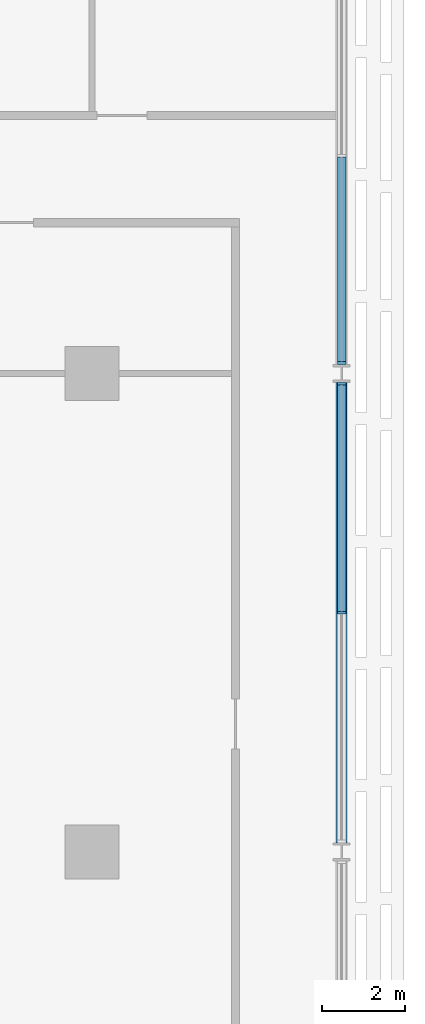
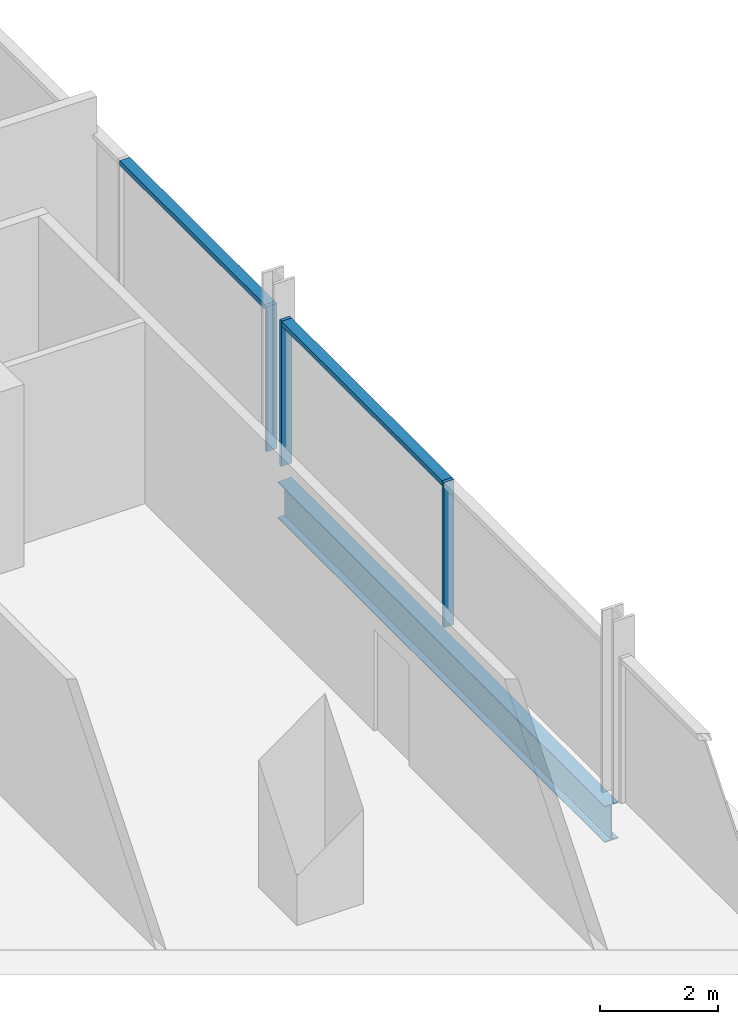
# One storey, part 9 of 29: 5 members, 1 beam, 2 elements without a shape of their own.
"""IFC4 building model written with IfcOpenShell, lengths in metres."""

import ifcopenshell
import ifcopenshell.guid

model = None  # the IFC model being written
_history = None  # IfcOwnerHistory: only IFC2X3 demands one
_inside = {}  # id of a spatial element -> (the spatial element, [elements in it])
_under = {}  # id of a project, library or spatial element -> (it, [spatial elements below it])
_declared = {}  # id of a project -> (the project, [libraries it declares])
_typed = {}  # id of a type object -> (the type object, [elements of that type])
_made_of = {}  # id of a material, layer set ... -> (it, [elements and type objects made of it])


def new_model(schema):
    """Start an empty IFC model of exactly this schema.

    Asked for "IFC4X3", IfcOpenShell would pick the latest addendum, in which some entities
    have other attributes; the version numbers below select the first issue.
    IFC2X3 requires an IfcOwnerHistory on every rooted entity: one is made here for all.
    """
    global model, _history
    if schema == "IFC4X3":
        model = ifcopenshell.file(schema_version=(4, 3, 0, 0))
    else:
        model = ifcopenshell.file(schema=schema)
    _inside.clear()
    _under.clear()
    _declared.clear()
    _typed.clear()
    _made_of.clear()
    _history = None
    if model.schema == "IFC2X3":
        org = make("IfcOrganization", Name="unknown")
        user = make(
            "IfcPersonAndOrganization",
            ThePerson=make("IfcPerson", FamilyName="unknown"),
            TheOrganization=org,
        )
        app = make(
            "IfcApplication",
            ApplicationDeveloper=org,
            Version="unknown",
            ApplicationFullName="unknown",
            ApplicationIdentifier="unknown",
        )
        _history = make(
            "IfcOwnerHistory",
            OwningUser=user,
            OwningApplication=app,
            ChangeAction="ADDED",
            CreationDate=0,
        )
    return model


def make(cls, **values):
    """One entity of the class cls with the attributes given. An attribute that is None is left unset."""
    return model.create_entity(
        cls, **{name: value for name, value in values.items() if value is not None}
    )


def rooted(cls, **values):
    """An entity with a GlobalId (a new one), such as an element, a storey or a relation."""
    return make(cls, GlobalId=ifcopenshell.guid.new(), OwnerHistory=_history, **values)


def si_unit(unit_type, name, prefix=None):
    """IfcSIUnit, for example si_unit("LENGTHUNIT", "METRE", prefix="MILLI")."""
    return make("IfcSIUnit", UnitType=unit_type, Prefix=prefix, Name=name)


def assignment(units):
    """IfcUnitAssignment: the units of a project."""
    return None if units is None else make("IfcUnitAssignment", Units=units)


def point(xyz):
    """IfcCartesianPoint."""
    return None if xyz is None else make("IfcCartesianPoint", Coordinates=xyz)


def direction(xyz):
    """IfcDirection."""
    return None if xyz is None else make("IfcDirection", DirectionRatios=xyz)


def frame(location, z_axis=None, x_axis=None):
    """IfcAxis2Placement3D, a coordinate frame: its origin and axes. An axis left out is left unset."""
    return make(
        "IfcAxis2Placement3D",
        Location=point(location),
        Axis=direction(z_axis),
        RefDirection=direction(x_axis),
    )


def frame_2d(location, x_axis=None):
    """IfcAxis2Placement2D, a coordinate frame in the plane: its origin and x axis."""
    return make(
        "IfcAxis2Placement2D", Location=point(location), RefDirection=direction(x_axis)
    )


def origin():
    """The frame at (0, 0, 0) with its axes left unset."""
    return frame((0.0, 0.0, 0.0))


def origin_2d():
    """The frame at (0, 0) in the plane with its x axis left unset."""
    return frame_2d((0.0, 0.0))


def place(relative_to, where):
    """IfcLocalPlacement: puts the frame where relative to a parent placement (None: the world)."""
    return make(
        "IfcLocalPlacement", PlacementRelTo=relative_to, RelativePlacement=where
    )


def context(
    kind, dimensions, precision=None, world=None, true_north=None, identifier=None
):
    """IfcGeometricRepresentationContext, for example the 3D "Model" context."""
    return make(
        "IfcGeometricRepresentationContext",
        ContextIdentifier=identifier,
        ContextType=kind,
        CoordinateSpaceDimension=dimensions,
        Precision=precision,
        WorldCoordinateSystem=world,
        TrueNorth=true_north,
    )


def subcontext(parent, identifier, kind, view, scale=None):
    """IfcGeometricRepresentationSubContext, for example "Body" below "Model"."""
    return make(
        "IfcGeometricRepresentationSubContext",
        ContextIdentifier=identifier,
        ContextType=kind,
        ParentContext=parent,
        TargetScale=scale,
        TargetView=view,
    )


def project(units=None, contexts=None):
    """IfcProject with its units and contexts."""
    return rooted(
        "IfcProject",
        Name="project",
        RepresentationContexts=contexts,
        UnitsInContext=assignment(units),
    )


def spatial(cls, under=None, at=None, **own):
    """A site, building, storey or space (cls), placed at a placement, below another one or the project."""
    s = rooted(cls, ObjectPlacement=at, **own)
    if under is not None:
        _under.setdefault(under.id(), (under, []))[1].append(s)
    return s


def profile(cls, at=None, kind="AREA", **sizes):
    """A parametric profile (cls). Its sizes go by their IFC names, for example OverallWidth=200.0."""
    return make(cls, ProfileType=kind, Position=at, **sizes)


def rectangle(**sizes):
    """IfcRectangleProfileDef."""
    return profile("IfcRectangleProfileDef", **sizes)


def i_section(**sizes):
    """IfcIShapeProfileDef."""
    return profile("IfcIShapeProfileDef", **sizes)


def extrude(swept, where, along, depth):
    """IfcExtrudedAreaSolid: the profile swept, set in the frame where, extruded along a direction by depth."""
    return make(
        "IfcExtrudedAreaSolid",
        SweptArea=swept,
        Position=where,
        ExtrudedDirection=direction(along),
        Depth=depth,
    )


def shape(context_of_items, identifier, shape_type, items):
    """IfcShapeRepresentation: the items that make up one representation, for example the "Body"."""
    return make(
        "IfcShapeRepresentation",
        ContextOfItems=context_of_items,
        RepresentationIdentifier=identifier,
        RepresentationType=shape_type,
        Items=items,
    )


def material(Name=None, Category=None):
    """IfcMaterial."""
    return make("IfcMaterial", Name=Name, Category=Category)


def material_profile(
    of_material, cross_section, Name=None, Category=None, Priority=None
):
    """IfcMaterialProfile: a cross section and its material."""
    return make(
        "IfcMaterialProfile",
        Name=Name,
        Material=of_material,
        Profile=cross_section,
        Priority=Priority,
        Category=Category,
    )


def profile_set(profiles, Name=None, composite=None):
    """IfcMaterialProfileSet."""
    return make(
        "IfcMaterialProfileSet",
        Name=Name,
        MaterialProfiles=profiles,
        CompositeProfile=composite,
    )


def made_of(thing, what):
    """Note that an element or type object is made of a material, layer set ...; save() writes the relation."""
    if what is not None:
        _made_of.setdefault(what.id(), (what, []))[1].append(thing)
    return thing


def type_object(cls, material=None, **own):
    """A type object (cls), such as IfcWallType, which elements share."""
    return made_of(rooted(cls, **own), material)


def element(
    cls,
    number,
    at=None,
    inside=None,
    cuts=None,
    type_object=None,
    material=None,
    context=None,
    identifier="Body",
    shape_type=None,
    held_by="IfcProductDefinitionShape",
    body=None,
    shapes=None,
    **own,
):
    """One element of the class cls, such as IfcWall. Its Tag is "e" and its number.

    at: its placement. inside: the storey or other place that contains it. cuts: it is an
    opening in that element (IfcRelVoidsElement). A single representation is given by context,
    identifier, shape_type and body (its items); several are given by shapes. held_by: the class
    of the entity that holds the representations. save() writes the other relations.
    """
    e = rooted(cls, Tag="e%d" % number, ObjectPlacement=at, **own)
    if body is not None:
        shapes = [shape(context, identifier, shape_type, body)]
    if shapes is not None:
        e.Representation = make(held_by, Representations=shapes)
    if inside is not None:
        _inside.setdefault(inside.id(), (inside, []))[1].append(e)
    if cuts is not None:
        rooted(
            "IfcRelVoidsElement", RelatingBuildingElement=cuts, RelatedOpeningElement=e
        )
    if type_object is not None:
        _typed.setdefault(type_object.id(), (type_object, []))[1].append(e)
    return made_of(e, material)


def aggregate(whole, parts):
    """IfcRelAggregates: a whole, such as a stair, and the parts it consists of."""
    return rooted("IfcRelAggregates", RelatingObject=whole, RelatedObjects=parts)


def save(model, path):
    """Write the relations noted so far, then the file.

    IfcRelAggregates (storeys below a building ...), IfcRelContainedInSpatialStructure (elements
    in a storey), IfcRelDefinesByType, IfcRelAssociatesMaterial and IfcRelDeclares: one each for
    every whole, place, type object, material and project.
    """
    for whole, parts in _under.values():
        aggregate(whole, parts)
    for where, things in _inside.values():
        rooted(
            "IfcRelContainedInSpatialStructure",
            RelatedElements=things,
            RelatingStructure=where,
        )
    for kind, things in _typed.values():
        rooted("IfcRelDefinesByType", RelatedObjects=things, RelatingType=kind)
    for what, things in _made_of.values():
        rooted("IfcRelAssociatesMaterial", RelatedObjects=things, RelatingMaterial=what)
    for by, libraries in _declared.values():
        rooted("IfcRelDeclares", RelatingContext=by, RelatedDefinitions=libraries)
    model.write(path)


model = new_model("IFC4")

# Units and contexts
model_context = context("Model", 3, precision=1e-05, world=origin(), true_north=direction((0.0, 1.0)))
body_context = subcontext(model_context, "Body", "Model", "MODEL_VIEW")
ifc_project = project(units=[si_unit("LENGTHUNIT", "METRE"), si_unit("AREAUNIT", "SQUARE_METRE"), si_unit("VOLUMEUNIT", "CUBIC_METRE"), si_unit("PLANEANGLEUNIT", "RADIAN"), si_unit("MASSUNIT", "GRAM", prefix="KILO")], contexts=[model_context])

# Site, building, storey
site_placement = place(None, origin())
site = spatial("IfcSite", under=ifc_project, at=site_placement, CompositionType="ELEMENT")
building_placement = place(site_placement, origin())
building = spatial("IfcBuilding", under=site, at=building_placement, Name="Mahtab Terrace Research Tower", CompositionType="ELEMENT")
storey_placement = place(building_placement, frame((0.0, 0.0, 142.5)))
storey = spatial("IfcBuildingStorey", under=building, at=storey_placement, Name="L33", CompositionType="ELEMENT", Elevation=142.5)

# Curtain wall, members
ifc_material_1 = material(Name="Laboratory ribbon curtain wall")
curtain_wall_type = type_object("IfcCurtainWallType", Name="Laboratory ribbon curtain wall", PredefinedType="NOTDEFINED", material=ifc_material_1)
curtain_wall_1_placement = place(storey_placement, origin())
curtain_wall_1 = element("IfcCurtainWall", 1, at=curtain_wall_1_placement, inside=storey, type_object=curtain_wall_type, Name="EN.L33.18.37", PredefinedType="NOTDEFINED")
ifc_material_2 = material(Name="Natural anodised aluminium", Category="aluminium")
ifc_material_profile_1 = material_profile(ifc_material_2, rectangle(XDim=0.199951171875, YDim=0.06494140625, at=origin_2d()), Name="MULLION 65x200")
ifc_profile_set_1 = profile_set([ifc_material_profile_1], Name="Natural anodised aluminium")
member_type_1 = type_object("IfcMemberType", Name="Laboratory ribbon curtain wall mullion", PredefinedType="MULLION", material=ifc_profile_set_1)
member_1_placement = place(storey_placement, frame((48.0, 5.75, 0.0), z_axis=(0.0, 0.0, 1.0), x_axis=(-1.0, 0.0, 0.0)))
member_1 = element("IfcMember", 2, at=member_1_placement, type_object=member_type_1, Name="CWL-4 mullion 2", PredefinedType="MULLION", context=body_context, shape_type="SweptSolid", body=[
    extrude(rectangle(XDim=0.199951171875, YDim=0.06494140625, at=origin_2d()), origin(), (0.0, 0.0, 1.0), 3.003173828125),
])
member_2_placement = place(storey_placement, frame((48.0, 11.24951171875, 0.0), z_axis=(0.0, 0.0, 1.0), x_axis=(-1.0, 0.0, 0.0)))
member_2 = element("IfcMember", 3, at=member_2_placement, type_object=member_type_1, Name="CWL-4 mullion 3", PredefinedType="MULLION", context=body_context, shape_type="SweptSolid", body=[
    extrude(rectangle(XDim=0.199951171875, YDim=0.06494140625, at=origin_2d()), origin(), (0.0, 0.0, 1.0), 3.003173828125),
])

# Curtain wall, member
curtain_wall_2_placement = place(storey_placement, origin())
curtain_wall_2 = element("IfcCurtainWall", 4, at=curtain_wall_2_placement, inside=storey, type_object=curtain_wall_type, Name="EN.L33.18.38", PredefinedType="NOTDEFINED")
member_3_placement = place(storey_placement, frame((48.0, 11.75048828125, 0.0), z_axis=(0.0, 0.0, 1.0), x_axis=(-1.0, 0.0, 0.0)))
member_3 = element("IfcMember", 5, at=member_3_placement, type_object=member_type_1, Name="CWL-4 mullion 1", PredefinedType="MULLION", context=body_context, shape_type="SweptSolid", body=[
    extrude(rectangle(XDim=0.199951171875, YDim=0.06494140625, at=origin_2d()), origin(), (0.0, 0.0, 1.0), 3.003173828125),
])

# Member
ifc_material_profile_2 = material_profile(ifc_material_2, rectangle(XDim=0.199951171875, YDim=0.10009765625, at=origin_2d()), Name="TRANSOM 100x200")
ifc_profile_set_2 = profile_set([ifc_material_profile_2], Name="Natural anodised aluminium")
member_type_2 = type_object("IfcMemberType", Name="Laboratory ribbon curtain wall transom", PredefinedType="USERDEFINED", material=ifc_profile_set_2)
member_4_placement = place(storey_placement, frame((48.0, 5.782470703125, 2.953125), z_axis=(0.0, 1.0, 0.0), x_axis=(-1.0, 0.0, 0.0)))
member_4 = element("IfcMember", 6, at=member_4_placement, type_object=member_type_2, Name="CWL-4 transom 2", ObjectType="TRANSOM", PredefinedType="USERDEFINED", context=body_context, shape_type="SweptSolid", body=[
    extrude(rectangle(XDim=0.199951171875, YDim=0.10009765625, at=origin_2d()), origin(), (0.0, 0.0, 1.0), 5.4345703125),
])

aggregate(curtain_wall_1, [member_1, member_2, member_4])

member_5_placement = place(storey_placement, frame((48.0, 11.782958984375, 2.953125), z_axis=(0.0, 1.0, 0.0), x_axis=(-1.0, 0.0, 0.0)))
member_5 = element("IfcMember", 7, at=member_5_placement, type_object=member_type_2, Name="CWL-4 transom 1", ObjectType="TRANSOM", PredefinedType="USERDEFINED", context=body_context, shape_type="SweptSolid", body=[
    extrude(rectangle(XDim=0.199951171875, YDim=0.10009765625, at=origin_2d()), origin(), (0.0, 0.0, 1.0), 4.91552734375),
])

aggregate(curtain_wall_2, [member_3, member_5])

# Beam
ifc_material_3 = material(Name="Steel ASTM A992 Gr 50", Category="steel")
ifc_material_profile_3 = material_profile(ifc_material_3, i_section(OverallWidth=0.2666015625, OverallDepth=0.7568359375, WebThickness=0.013916015625, FlangeThickness=0.019287109375, at=origin_2d()), Name="W30X108")
ifc_profile_set_3 = profile_set([ifc_material_profile_3], Name="Steel ASTM A992 Gr 50")
beam_type = type_object("IfcBeamType", Name="W30x108 beam BS30108", PredefinedType="BEAM", material=ifc_profile_set_3)
beam_placement = place(storey_placement, frame((48.0, 0.217041015625, -0.718505859375), z_axis=(0.0, 1.0, 0.0), x_axis=(-1.0, 0.0, 0.0)))
element("IfcBeam", 8, at=beam_placement, inside=storey, type_object=beam_type, Name="Spandrel beam L33 23", PredefinedType="BEAM", context=body_context, shape_type="SweptSolid", body=[
    extrude(i_section(OverallWidth=0.2666015625, OverallDepth=0.7568359375, WebThickness=0.013916015625, FlangeThickness=0.019287109375, at=origin_2d()), origin(), (0.0, 0.0, 1.0), 11.06591796875),
])

save(model, "model.ifc")
